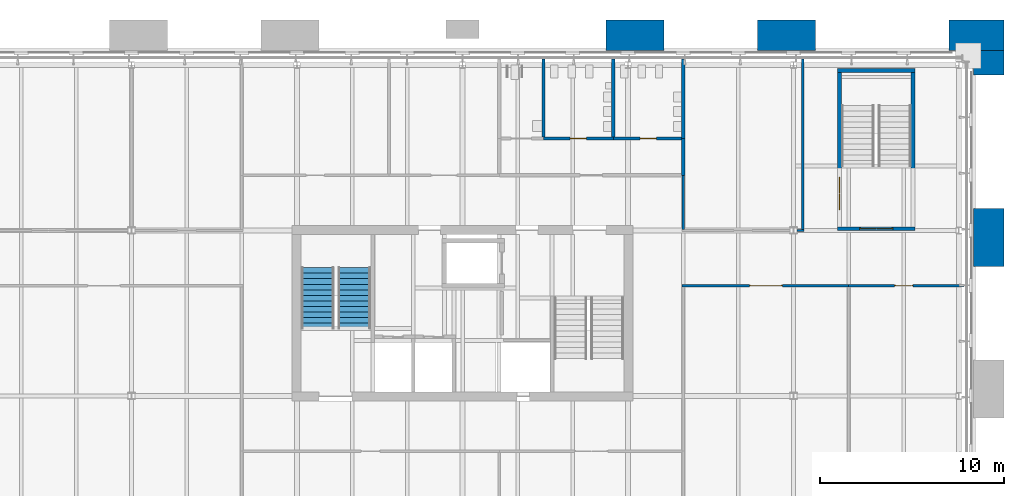
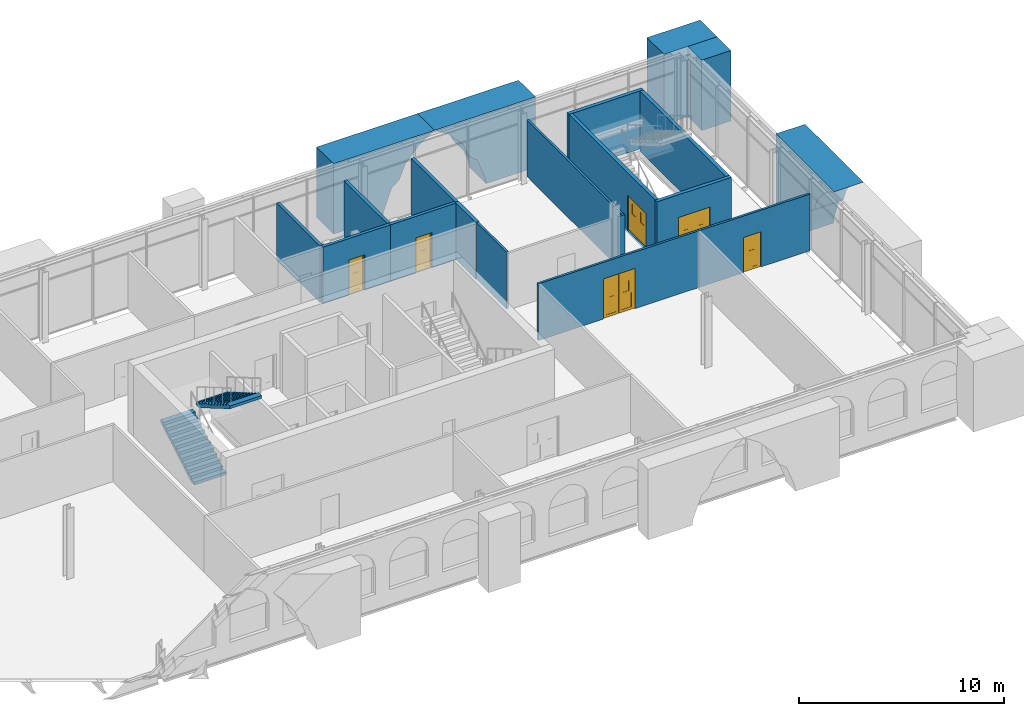
# One storey, part 14 of 22: 20 walls, 6 doors, 2 stair flights, 6 openings, 1 element without a shape of its own.
"""IFC4 building model written with IfcOpenShell, lengths in metres."""

import ifcopenshell
import ifcopenshell.guid

model = None  # the IFC model being written
_history = None  # IfcOwnerHistory: only IFC2X3 demands one
_inside = {}  # id of a spatial element -> (the spatial element, [elements in it])
_under = {}  # id of a project, library or spatial element -> (it, [spatial elements below it])
_declared = {}  # id of a project -> (the project, [libraries it declares])
_typed = {}  # id of a type object -> (the type object, [elements of that type])
_made_of = {}  # id of a material, layer set ... -> (it, [elements and type objects made of it])


def new_model(schema):
    """Start an empty IFC model of exactly this schema.

    Asked for "IFC4X3", IfcOpenShell would pick the latest addendum, in which some entities
    have other attributes; the version numbers below select the first issue.
    IFC2X3 requires an IfcOwnerHistory on every rooted entity: one is made here for all.
    """
    global model, _history
    if schema == "IFC4X3":
        model = ifcopenshell.file(schema_version=(4, 3, 0, 0))
    else:
        model = ifcopenshell.file(schema=schema)
    _inside.clear()
    _under.clear()
    _declared.clear()
    _typed.clear()
    _made_of.clear()
    _history = None
    if model.schema == "IFC2X3":
        org = make("IfcOrganization", Name="unknown")
        user = make(
            "IfcPersonAndOrganization",
            ThePerson=make("IfcPerson", FamilyName="unknown"),
            TheOrganization=org,
        )
        app = make(
            "IfcApplication",
            ApplicationDeveloper=org,
            Version="unknown",
            ApplicationFullName="unknown",
            ApplicationIdentifier="unknown",
        )
        _history = make(
            "IfcOwnerHistory",
            OwningUser=user,
            OwningApplication=app,
            ChangeAction="ADDED",
            CreationDate=0,
        )
    return model


def make(cls, **values):
    """One entity of the class cls with the attributes given. An attribute that is None is left unset."""
    return model.create_entity(
        cls, **{name: value for name, value in values.items() if value is not None}
    )


def rooted(cls, **values):
    """An entity with a GlobalId (a new one), such as an element, a storey or a relation."""
    return make(cls, GlobalId=ifcopenshell.guid.new(), OwnerHistory=_history, **values)


def si_unit(unit_type, name, prefix=None):
    """IfcSIUnit, for example si_unit("LENGTHUNIT", "METRE", prefix="MILLI")."""
    return make("IfcSIUnit", UnitType=unit_type, Prefix=prefix, Name=name)


def assignment(units):
    """IfcUnitAssignment: the units of a project."""
    return None if units is None else make("IfcUnitAssignment", Units=units)


def point(xyz):
    """IfcCartesianPoint."""
    return None if xyz is None else make("IfcCartesianPoint", Coordinates=xyz)


def direction(xyz):
    """IfcDirection."""
    return None if xyz is None else make("IfcDirection", DirectionRatios=xyz)


def frame(location, z_axis=None, x_axis=None):
    """IfcAxis2Placement3D, a coordinate frame: its origin and axes. An axis left out is left unset."""
    return make(
        "IfcAxis2Placement3D",
        Location=point(location),
        Axis=direction(z_axis),
        RefDirection=direction(x_axis),
    )


def frame_2d(location, x_axis=None):
    """IfcAxis2Placement2D, a coordinate frame in the plane: its origin and x axis."""
    return make(
        "IfcAxis2Placement2D", Location=point(location), RefDirection=direction(x_axis)
    )


def origin():
    """The frame at (0, 0, 0) with its axes left unset."""
    return frame((0.0, 0.0, 0.0))


def place(relative_to, where):
    """IfcLocalPlacement: puts the frame where relative to a parent placement (None: the world)."""
    return make(
        "IfcLocalPlacement", PlacementRelTo=relative_to, RelativePlacement=where
    )


def context(
    kind, dimensions, precision=None, world=None, true_north=None, identifier=None
):
    """IfcGeometricRepresentationContext, for example the 3D "Model" context."""
    return make(
        "IfcGeometricRepresentationContext",
        ContextIdentifier=identifier,
        ContextType=kind,
        CoordinateSpaceDimension=dimensions,
        Precision=precision,
        WorldCoordinateSystem=world,
        TrueNorth=true_north,
    )


def subcontext(parent, identifier, kind, view, scale=None):
    """IfcGeometricRepresentationSubContext, for example "Body" below "Model"."""
    return make(
        "IfcGeometricRepresentationSubContext",
        ContextIdentifier=identifier,
        ContextType=kind,
        ParentContext=parent,
        TargetScale=scale,
        TargetView=view,
    )


def project(units=None, contexts=None):
    """IfcProject with its units and contexts."""
    return rooted(
        "IfcProject",
        Name="project",
        RepresentationContexts=contexts,
        UnitsInContext=assignment(units),
    )


def spatial(cls, under=None, at=None, **own):
    """A site, building, storey or space (cls), placed at a placement, below another one or the project."""
    s = rooted(cls, ObjectPlacement=at, **own)
    if under is not None:
        _under.setdefault(under.id(), (under, []))[1].append(s)
    return s


def polyline(points):
    """IfcPolyline through the points."""
    return make("IfcPolyline", Points=[point(p) for p in points])


def profile(cls, at=None, kind="AREA", **sizes):
    """A parametric profile (cls). Its sizes go by their IFC names, for example OverallWidth=200.0."""
    return make(cls, ProfileType=kind, Position=at, **sizes)


def rectangle(**sizes):
    """IfcRectangleProfileDef."""
    return profile("IfcRectangleProfileDef", **sizes)


def outline(outer, holes=None, kind="AREA"):
    """IfcArbitraryClosedProfileDef: a profile drawn as a closed curve; with holes, ...WithVoids."""
    if holes is None:
        return make("IfcArbitraryClosedProfileDef", ProfileType=kind, OuterCurve=outer)
    return make(
        "IfcArbitraryProfileDefWithVoids",
        ProfileType=kind,
        OuterCurve=outer,
        InnerCurves=holes,
    )


def extrude(swept, where, along, depth):
    """IfcExtrudedAreaSolid: the profile swept, set in the frame where, extruded along a direction by depth."""
    return make(
        "IfcExtrudedAreaSolid",
        SweptArea=swept,
        Position=where,
        ExtrudedDirection=direction(along),
        Depth=depth,
    )


def shape(context_of_items, identifier, shape_type, items):
    """IfcShapeRepresentation: the items that make up one representation, for example the "Body"."""
    return make(
        "IfcShapeRepresentation",
        ContextOfItems=context_of_items,
        RepresentationIdentifier=identifier,
        RepresentationType=shape_type,
        Items=items,
    )


def material(Name=None, Category=None):
    """IfcMaterial."""
    return make("IfcMaterial", Name=Name, Category=Category)


def layer(
    of_material, thickness, ventilated=None, Name=None, Category=None, Priority=None
):
    """IfcMaterialLayer: one layer of a wall or slab, of a material (None: an air gap)."""
    return make(
        "IfcMaterialLayer",
        Material=of_material,
        LayerThickness=thickness,
        IsVentilated=ventilated,
        Name=Name,
        Category=Category,
        Priority=Priority,
    )


def layer_set(layers, Name=None):
    """IfcMaterialLayerSet."""
    return make("IfcMaterialLayerSet", MaterialLayers=layers, LayerSetName=Name)


def made_of(thing, what):
    """Note that an element or type object is made of a material, layer set ...; save() writes the relation."""
    if what is not None:
        _made_of.setdefault(what.id(), (what, []))[1].append(thing)
    return thing


def type_object(cls, material=None, **own):
    """A type object (cls), such as IfcWallType, which elements share."""
    return made_of(rooted(cls, **own), material)


def element(
    cls,
    number,
    at=None,
    inside=None,
    cuts=None,
    type_object=None,
    material=None,
    context=None,
    identifier="Body",
    shape_type=None,
    held_by="IfcProductDefinitionShape",
    body=None,
    shapes=None,
    **own,
):
    """One element of the class cls, such as IfcWall. Its Tag is "e" and its number.

    at: its placement. inside: the storey or other place that contains it. cuts: it is an
    opening in that element (IfcRelVoidsElement). A single representation is given by context,
    identifier, shape_type and body (its items); several are given by shapes. held_by: the class
    of the entity that holds the representations. save() writes the other relations.
    """
    e = rooted(cls, Tag="e%d" % number, ObjectPlacement=at, **own)
    if body is not None:
        shapes = [shape(context, identifier, shape_type, body)]
    if shapes is not None:
        e.Representation = make(held_by, Representations=shapes)
    if inside is not None:
        _inside.setdefault(inside.id(), (inside, []))[1].append(e)
    if cuts is not None:
        rooted(
            "IfcRelVoidsElement", RelatingBuildingElement=cuts, RelatedOpeningElement=e
        )
    if type_object is not None:
        _typed.setdefault(type_object.id(), (type_object, []))[1].append(e)
    return made_of(e, material)


def fill(opening, filler):
    """IfcRelFillsElement: the door or window that sits in an opening."""
    return rooted(
        "IfcRelFillsElement",
        RelatingOpeningElement=opening,
        RelatedBuildingElement=filler,
    )


def aggregate(whole, parts):
    """IfcRelAggregates: a whole, such as a stair, and the parts it consists of."""
    return rooted("IfcRelAggregates", RelatingObject=whole, RelatedObjects=parts)


def save(model, path):
    """Write the relations noted so far, then the file.

    IfcRelAggregates (storeys below a building ...), IfcRelContainedInSpatialStructure (elements
    in a storey), IfcRelDefinesByType, IfcRelAssociatesMaterial and IfcRelDeclares: one each for
    every whole, place, type object, material and project.
    """
    for whole, parts in _under.values():
        aggregate(whole, parts)
    for where, things in _inside.values():
        rooted(
            "IfcRelContainedInSpatialStructure",
            RelatedElements=things,
            RelatingStructure=where,
        )
    for kind, things in _typed.values():
        rooted("IfcRelDefinesByType", RelatedObjects=things, RelatingType=kind)
    for what, things in _made_of.values():
        rooted("IfcRelAssociatesMaterial", RelatedObjects=things, RelatingMaterial=what)
    for by, libraries in _declared.values():
        rooted("IfcRelDeclares", RelatingContext=by, RelatedDefinitions=libraries)
    model.write(path)


model = new_model("IFC4")

# Units and contexts
model_context = context("Model", 3, precision=1e-05, world=origin(), true_north=direction((0.0, 1.0)))
body_context = subcontext(model_context, "Body", "Model", "MODEL_VIEW")
ifc_project = project(units=[si_unit("LENGTHUNIT", "METRE"), si_unit("AREAUNIT", "SQUARE_METRE"), si_unit("VOLUMEUNIT", "CUBIC_METRE"), si_unit("PLANEANGLEUNIT", "RADIAN"), si_unit("MASSUNIT", "GRAM", prefix="KILO")], contexts=[model_context])

# Site, building, storey
site_placement = place(None, origin())
site = spatial("IfcSite", under=ifc_project, at=site_placement, CompositionType="ELEMENT")
building_placement = place(site_placement, origin())
building = spatial("IfcBuilding", under=site, at=building_placement, Name="Baradari Gate Terminus", CompositionType="ELEMENT")
storey_placement = place(building_placement, frame((0.0, 0.0, 28.5)))
storey = spatial("IfcBuildingStorey", under=building, at=storey_placement, Name="L06", CompositionType="ELEMENT", Elevation=28.5)

# Wall, opening, door
ifc_material_1 = material(Name="Gypsum board")
ifc_layer_1 = layer(ifc_material_1, 0.125)
ifc_layer_set_1 = layer_set([ifc_layer_1], Name="Gypsum board")
wall_type_1 = type_object("IfcWallType", Name="Corridor partition PT-5 125 EI 30", PredefinedType="PARTITIONING", material=ifc_layer_set_1)
wall_1_placement = place(storey_placement, frame((57.0, 132.0, 0.0), z_axis=(0.0, 0.0, 1.0), x_axis=(-1.0, 0.0, 0.0)))
wall_1 = element("IfcWall", 1, at=wall_1_placement, inside=storey, type_object=wall_type_1, Name="PT-5 partition Corridor / Staff Canteen", PredefinedType="PARTITIONING", context=body_context, shape_type="SweptSolid", body=[
    extrude(rectangle(XDim=9.0625, YDim=0.125, at=frame_2d((4.53125, 0.0))), origin(), (0.0, 0.0, 1.0), 3.382080078125),
])
opening_1_placement = place(wall_1_placement, frame((3.60009765625, 0.0, 0.0)))
opening_1 = element("IfcOpeningElement", 2, at=opening_1_placement, cuts=wall_1, Name="Opening D06-018", PredefinedType="OPENING", context=body_context, shape_type="SweptSolid", body=[
    extrude(rectangle(XDim=1.800048828125, YDim=2.39990234375, at=frame_2d((0.89990234375, 1.199951171875))), frame((0.0, 0.072509765625, 0.0), z_axis=(0.0, -1.0, 0.0), x_axis=(1.0, 0.0, 0.0)), (0.0, 0.0, 1.0), 0.14501953125),
])
ifc_material_2 = material(Name="Steel S275", Category="steel")
door_type_1 = type_object("IfcDoorType", Name="Fire door FI-1800x2400-FD30S 1800x2400 FD30S", OperationType="DOUBLE_DOOR_SINGLE_SWING", PredefinedType="DOOR", material=ifc_material_2)
door_1_placement = place(opening_1_placement, origin())
door_1 = element("IfcDoor", 3, at=door_1_placement, inside=storey, type_object=door_type_1, Name="Door Staff Canteen", OperationType="DOUBLE_DOOR_SINGLE_SWING", OverallHeight=2.4, OverallWidth=1.8, PredefinedType="DOOR", context=body_context, shape_type="SweptSolid", body=[
    extrude(outline(polyline([(0.0, 0.0), (0.070068359375, 0.0), (0.070068359375, 2.329833984375), (1.72998046875, 2.329833984375), (1.72998046875, 0.0), (1.800048828125, 0.0), (1.800048828125, 2.39990234375), (0.0, 2.39990234375), (0.0, 0.0)])), frame((0.0, 0.02490234375, 0.0), z_axis=(0.0, -1.0, 0.0), x_axis=(1.0, 0.0, 0.0)), (0.0, 0.0, 1.0), 0.050048828125),
    extrude(outline(polyline([(0.073974609375, 0.010009765625), (0.89697265625, 0.010009765625), (0.89697265625, 2.325927734375), (0.073974609375, 2.325927734375), (0.073974609375, 0.010009765625)]), holes=[polyline([(0.194091796875, 0.159912109375), (0.77685546875, 0.159912109375), (0.77685546875, 1.010009765625), (0.194091796875, 1.010009765625), (0.194091796875, 0.159912109375)]), polyline([(0.33544921875, 1.159912109375), (0.635498046875, 1.159912109375), (0.635498046875, 1.760009765625), (0.33544921875, 1.760009765625), (0.33544921875, 1.159912109375)])]), frame((0.0, 0.017333984375, 0.0), z_axis=(0.0, -1.0, 0.0), x_axis=(1.0, 0.0, 0.0)), (0.0, 0.0, 1.0), 0.034912109375),
    extrude(rectangle(XDim=0.582763671875, YDim=0.85009765625, at=frame_2d((0.4853515625, 0.5849609375))), frame((0.0, 0.008544921875, 0.0), z_axis=(0.0, -1.0, 0.0), x_axis=(1.0, 0.0, 0.0)), (0.0, 0.0, 1.0), 0.017333984375),
    extrude(rectangle(XDim=0.300048828125, YDim=0.60009765625, at=frame_2d((0.4853515625, 1.4599609375))), frame((0.0, 0.005859375, 0.0), z_axis=(0.0, -1.0, 0.0), x_axis=(1.0, 0.0, 0.0)), (0.0, 0.0, 1.0), 0.011962890625),
    extrude(outline(polyline([(0.903076171875, 0.010009765625), (1.72607421875, 0.010009765625), (1.72607421875, 2.325927734375), (0.903076171875, 2.325927734375), (0.903076171875, 0.010009765625)]), holes=[polyline([(1.023193359375, 0.159912109375), (1.60595703125, 0.159912109375), (1.60595703125, 1.010009765625), (1.023193359375, 1.010009765625), (1.023193359375, 0.159912109375)]), polyline([(1.16455078125, 1.159912109375), (1.464599609375, 1.159912109375), (1.464599609375, 1.760009765625), (1.16455078125, 1.760009765625), (1.16455078125, 1.159912109375)])]), frame((0.0, 0.017333984375, 0.0), z_axis=(0.0, -1.0, 0.0), x_axis=(1.0, 0.0, 0.0)), (0.0, 0.0, 1.0), 0.034912109375),
    extrude(rectangle(XDim=0.582763671875, YDim=0.85009765625, at=frame_2d((1.314453125, 0.5849609375))), frame((0.0, 0.008544921875, 0.0), z_axis=(0.0, -1.0, 0.0), x_axis=(1.0, 0.0, 0.0)), (0.0, 0.0, 1.0), 0.017333984375),
    extrude(rectangle(XDim=0.300048828125, YDim=0.60009765625, at=frame_2d((1.314453125, 1.4599609375))), frame((0.0, 0.005859375, 0.0), z_axis=(0.0, -1.0, 0.0), x_axis=(1.0, 0.0, 0.0)), (0.0, 0.0, 1.0), 0.011962890625),
])
fill(opening_1, door_1)

wall_2_placement = place(storey_placement, frame((63.27001953125, 132.0, 0.0), z_axis=(0.0, 0.0, 1.0), x_axis=(-1.0, 0.0, 0.0)))
wall_2 = element("IfcWall", 4, at=wall_2_placement, inside=storey, type_object=wall_type_1, Name="PT-5 partition Corridor / Canteen Kitchen", PredefinedType="PARTITIONING", context=body_context, shape_type="SweptSolid", body=[
    extrude(rectangle(XDim=6.27001953125, YDim=0.125, at=frame_2d((3.135009765625, 0.0))), origin(), (0.0, 0.0, 1.0), 3.382080078125),
])
opening_2_placement = place(wall_2_placement, frame((2.77001953125, 0.0, 0.0)))
opening_2 = element("IfcOpeningElement", 5, at=opening_2_placement, cuts=wall_2, Name="Opening D06-019", PredefinedType="OPENING", context=body_context, shape_type="SweptSolid", body=[
    extrude(rectangle(XDim=1.0, YDim=2.10009765625, at=frame_2d((0.5, 1.050048828125))), frame((0.0, 0.072509765625, 0.0), z_axis=(0.0, -1.0, 0.0), x_axis=(1.0, 0.0, 0.0)), (0.0, 0.0, 1.0), 0.14501953125),
])
ifc_material_3 = material(Name="Steel S275", Category="steel")
door_type_2 = type_object("IfcDoorType", Name="Fire door FI-1000-FD30S 1000x2100 FD30S", OperationType="SINGLE_SWING_LEFT", PredefinedType="DOOR", material=ifc_material_3)
door_2_placement = place(opening_2_placement, origin())
door_2 = element("IfcDoor", 6, at=door_2_placement, inside=storey, type_object=door_type_2, Name="Door Canteen Kitchen", OperationType="SINGLE_SWING_RIGHT", OverallHeight=2.1, OverallWidth=1.0, PredefinedType="DOOR", context=body_context, shape_type="SweptSolid", body=[
    extrude(outline(polyline([(0.0, 0.0), (0.070068359375, 0.0), (0.070068359375, 2.030029296875), (0.929931640625, 2.030029296875), (0.929931640625, 0.0), (1.0, 0.0), (1.0, 2.10009765625), (0.0, 2.10009765625), (0.0, 0.0)])), frame((0.0, 0.02490234375, 0.0), z_axis=(0.0, -1.0, 0.0), x_axis=(1.0, 0.0, 0.0)), (0.0, 0.0, 1.0), 0.050048828125),
    extrude(outline(polyline([(0.073974609375, 0.010009765625), (0.926025390625, 0.010009765625), (0.926025390625, 2.026123046875), (0.073974609375, 2.026123046875), (0.073974609375, 0.010009765625)]), holes=[polyline([(0.194091796875, 0.159912109375), (0.805908203125, 0.159912109375), (0.805908203125, 1.010009765625), (0.194091796875, 1.010009765625), (0.194091796875, 0.159912109375)]), polyline([(0.35009765625, 1.159912109375), (0.64990234375, 1.159912109375), (0.64990234375, 1.760009765625), (0.35009765625, 1.760009765625), (0.35009765625, 1.159912109375)])]), frame((0.0, 0.017333984375, 0.0), z_axis=(0.0, -1.0, 0.0), x_axis=(1.0, 0.0, 0.0)), (0.0, 0.0, 1.0), 0.034912109375),
    extrude(rectangle(XDim=0.61181640625, YDim=0.85009765625, at=frame_2d((0.5, 0.5849609375))), frame((0.0, 0.008544921875, 0.0), z_axis=(0.0, -1.0, 0.0), x_axis=(1.0, 0.0, 0.0)), (0.0, 0.0, 1.0), 0.017333984375),
    extrude(rectangle(XDim=0.2998046875, YDim=0.60009765625, at=frame_2d((0.5, 1.4599609375))), frame((0.0, 0.005859375, 0.0), z_axis=(0.0, -1.0, 0.0), x_axis=(1.0, 0.0, 0.0)), (0.0, 0.0, 1.0), 0.011962890625),
])
fill(opening_2, door_2)

# Walls
wall_3_placement = place(storey_placement, frame((48.0, 138.0, 0.0), z_axis=(0.0, 0.0, 1.0), x_axis=(0.0, -1.0, 0.0)))
element("IfcWall", 7, at=wall_3_placement, inside=storey, type_object=wall_type_1, Name="PT-5 partition Corridor / Welfare Store", PredefinedType="PARTITIONING", context=body_context, shape_type="SweptSolid", body=[
    extrude(rectangle(XDim=2.9375, YDim=0.125, at=frame_2d((1.46875, 0.0))), origin(), (0.0, 0.0, 1.0), 3.382080078125),
])
wall_4_placement = place(storey_placement, frame((54.197509765625, 135.0, 0.0), z_axis=(0.0, 0.0, 1.0), x_axis=(1.0, 0.0, 0.0)))
element("IfcWall", 8, at=wall_4_placement, inside=storey, type_object=wall_type_1, Name="PT-5 partition Corridor / Welfare Store", PredefinedType="PARTITIONING", context=body_context, shape_type="SweptSolid", body=[
    extrude(rectangle(XDim=0.364990234375, YDim=0.125, at=frame_2d((0.1826171875, 0.0))), origin(), (0.0, 0.0, 1.0), 3.382080078125),
])
wall_5_placement = place(storey_placement, frame((54.5, 135.0625, 0.0), z_axis=(0.0, 0.0, 1.0), x_axis=(0.0, 1.0, 0.0)))
element("IfcWall", 9, at=wall_5_placement, inside=storey, type_object=wall_type_1, Name="PT-5 partition Corridor (Stair Passage) / Welfare Store", PredefinedType="PARTITIONING", context=body_context, shape_type="SweptSolid", body=[
    extrude(rectangle(XDim=9.25244140625, YDim=0.125, at=frame_2d((4.626220703125, 0.0))), origin(), (0.0, 0.0, 1.0), 3.382080078125),
])
ifc_material_4 = material(Name="Blockwork wall, plastered, fire rated", Category="masonry")
ifc_layer_2 = layer(ifc_material_4, 0.199951171875)
ifc_layer_set_2 = layer_set([ifc_layer_2], Name="Blockwork wall, plastered, fire rated")
wall_type_2 = type_object("IfcWallType", Name="Lobby partition PT-4 200 EI 60", PredefinedType="PARTITIONING", material=ifc_layer_set_2)
wall_6_placement = place(storey_placement, frame((48.0, 140.0, 0.0), z_axis=(0.0, 0.0, 1.0), x_axis=(0.0, -1.0, 0.0)))
element("IfcWall", 10, at=wall_6_placement, inside=storey, type_object=wall_type_2, Name="PT-4 partition WC Lobby / Welfare Store", PredefinedType="PARTITIONING", context=body_context, shape_type="SweptSolid", body=[
    extrude(rectangle(XDim=2.0, YDim=0.199951171875, at=frame_2d((1.0, 0.0))), origin(), (0.0, 0.0, 1.0), 3.382080078125),
])
ifc_material_5 = material(Name="Concrete C40/50 precast", Category="concrete")
ifc_layer_3 = layer(ifc_material_5, 1.55)
ifc_material_6 = material(Name="Sandstone cladding", Category="masonry")
ifc_layer_4 = layer(ifc_material_6, 0.1)
ifc_layer_set_3 = layer_set([ifc_layer_3, ifc_layer_4], Name="Concrete C40/50 precast")
wall_type_3 = type_object("IfcWallType", Name="Sandstone-faced precast frame pier WQ-4 1650", PredefinedType="SOLIDWALL", material=ifc_layer_set_3)
wall_7_placement = place(storey_placement, frame((43.800048828125, 145.6201171875, 0.0), z_axis=(0.0, 0.0, 1.0), x_axis=(1.0, 0.0, 0.0)))
element("IfcWall", 11, at=wall_7_placement, inside=storey, type_object=wall_type_3, Name="Frame portal wall N face bay 2 1", PredefinedType="SOLIDWALL", context=body_context, shape_type="SweptSolid", body=[
    extrude(outline(polyline([(2.795166015625, 0.0), (2.820068359375, 0.31201171875), (3.300048828125, 1.60791015625), (3.719970703125, 1.931884765625), (4.080078125, 2.7958984375), (4.860107421875, 3.659912109375), (5.699951171875, 4.199951171875), (0.0, 4.199951171875), (0.0, 0.0), (2.795166015625, 0.0)])), frame((0.0, 0.824951171875, 0.0), z_axis=(0.0, -1.0, 0.0), x_axis=(1.0, 0.0, 0.0)), (0.0, 0.0, 1.0), 1.64990234375),
])
for number, where, z_axis, x_axis, name in (
    (12, (49.5, 145.6201171875, 0.0), (0.0, 0.0, 1.0), (1.0, 0.0, 0.0), "Frame portal wall N face bay 2 2"),
    (13, (64.6201171875, 130.5, 0.0), (0.0, 0.0, 1.0), (0.0, 1.0, 0.0), "Frame portal wall E face bay 1 2"),
):
    element("IfcWall", number, at=place(storey_placement, frame(where, z_axis=z_axis, x_axis=x_axis)), inside=storey, type_object=wall_type_3, Name=name, PredefinedType="SOLIDWALL", context=body_context, shape_type="SweptSolid", body=[
        extrude(outline(polyline([(0.0, 4.199951171875), (0.840087890625, 3.659912109375), (1.6201171875, 2.7958984375), (1.97998046875, 1.931884765625), (2.39990234375, 1.60791015625), (2.8798828125, 0.31201171875), (2.90478515625, 0.0), (5.699951171875, 0.0), (5.699951171875, 4.199951171875), (0.0, 4.199951171875)])), frame((0.0, 0.824951171875, 0.0), z_axis=(0.0, -1.0, 0.0), x_axis=(1.0, 0.0, 0.0)), (0.0, 0.0, 1.0), 1.64990234375),
    ])
wall_8_placement = place(storey_placement, frame((62.445068359375, 145.6201171875, 0.0), z_axis=(0.0, 0.0, 1.0), x_axis=(1.0, 0.0, 0.0)))
element("IfcWall", 14, at=wall_8_placement, inside=storey, type_object=wall_type_3, Name="Corner pilaster NE leg A L06", PredefinedType="SOLIDWALL", context=body_context, shape_type="SweptSolid", body=[
    extrude(rectangle(XDim=3.0, YDim=1.64990234375, at=frame_2d((1.5, 0.0))), origin(), (0.0, 0.0, 1.0), 4.199951171875),
])
wall_9_placement = place(storey_placement, frame((64.6201171875, 143.445068359375, 0.0), z_axis=(0.0, 0.0, 1.0), x_axis=(0.0, 1.0, 0.0)))
element("IfcWall", 15, at=wall_9_placement, inside=storey, type_object=wall_type_3, Name="Corner pilaster NE leg B L06", PredefinedType="SOLIDWALL", context=body_context, shape_type="SweptSolid", body=[
    extrude(rectangle(XDim=1.349853515625, YDim=1.64990234375, at=frame_2d((0.6748046875, 0.0))), origin(), (0.0, 0.0, 1.0), 4.199951171875),
])

# Wall, opening, door
ifc_material_7 = material(Name="Concrete C40/50", Category="concrete")
ifc_layer_5 = layer(ifc_material_7, 0.199951171875)
ifc_layer_set_4 = layer_set([ifc_layer_5], Name="Concrete C40/50")
wall_type_4 = type_object("IfcWallType", Name="Stair enclosure wall SE-2 200 EI 120", PredefinedType="SOLIDWALL", material=ifc_layer_set_4)
wall_10_placement = place(storey_placement, frame((56.39990234375, 135.10009765625, -0.1298828125), z_axis=(0.0, 0.0, 1.0), x_axis=(1.0, 0.0, 0.0)))
wall_10 = element("IfcWall", 16, at=wall_10_placement, inside=storey, type_object=wall_type_4, Name="Stair enclosure wall SE-2 ST-T3 L06 S", PredefinedType="SOLIDWALL", context=body_context, shape_type="SweptSolid", body=[
    extrude(rectangle(XDim=4.2001953125, YDim=0.199951171875, at=frame_2d((2.10009765625, 0.0))), origin(), (0.0, 0.0, 1.0), 3.5869140625),
])
opening_3_placement = place(wall_10_placement, frame((1.199951171875, 0.0, 0.1298828125)))
opening_3 = element("IfcOpeningElement", 17, at=opening_3_placement, cuts=wall_10, Name="Opening D06-010", PredefinedType="OPENING", context=body_context, shape_type="SweptSolid", body=[
    extrude(rectangle(XDim=1.800048828125, YDim=2.10009765625, at=frame_2d((0.89990234375, 1.050048828125))), frame((0.0, 0.10986328125, 0.0), z_axis=(0.0, -1.0, 0.0), x_axis=(1.0, 0.0, 0.0)), (0.0, 0.0, 1.0), 0.219970703125),
])
ifc_material_8 = material(Name="Steel S275", Category="steel")
door_type_3 = type_object("IfcDoorType", Name="Fire door FI-1800-FD90S 1800x2100 FD90S", OperationType="DOUBLE_DOOR_SINGLE_SWING", PredefinedType="DOOR", material=ifc_material_8)
door_3_placement = place(opening_3_placement, origin())
door_3 = element("IfcDoor", 18, at=door_3_placement, inside=storey, type_object=door_type_3, Name="Door Stair (East Core)", OperationType="DOUBLE_DOOR_SINGLE_SWING", OverallHeight=2.1, OverallWidth=1.8, PredefinedType="DOOR", context=body_context, shape_type="SweptSolid", body=[
    extrude(outline(polyline([(0.0, 0.0), (0.070068359375, 0.0), (0.070068359375, 2.030029296875), (1.72998046875, 2.030029296875), (1.72998046875, 0.0), (1.800048828125, 0.0), (1.800048828125, 2.10009765625), (0.0, 2.10009765625), (0.0, 0.0)])), frame((0.0, 0.02490234375, 0.0), z_axis=(0.0, -1.0, 0.0), x_axis=(1.0, 0.0, 0.0)), (0.0, 0.0, 1.0), 0.050048828125),
    extrude(outline(polyline([(0.073974609375, 0.010009765625), (0.89697265625, 0.010009765625), (0.89697265625, 2.026123046875), (0.073974609375, 2.026123046875), (0.073974609375, 0.010009765625)]), holes=[polyline([(0.194091796875, 0.159912109375), (0.77685546875, 0.159912109375), (0.77685546875, 1.010009765625), (0.194091796875, 1.010009765625), (0.194091796875, 0.159912109375)]), polyline([(0.33544921875, 1.159912109375), (0.635498046875, 1.159912109375), (0.635498046875, 1.760009765625), (0.33544921875, 1.760009765625), (0.33544921875, 1.159912109375)])]), frame((0.0, 0.017333984375, 0.0), z_axis=(0.0, -1.0, 0.0), x_axis=(1.0, 0.0, 0.0)), (0.0, 0.0, 1.0), 0.034912109375),
    extrude(rectangle(XDim=0.582763671875, YDim=0.85009765625, at=frame_2d((0.4853515625, 0.5849609375))), frame((0.0, 0.008544921875, 0.0), z_axis=(0.0, -1.0, 0.0), x_axis=(1.0, 0.0, 0.0)), (0.0, 0.0, 1.0), 0.017333984375),
    extrude(rectangle(XDim=0.300048828125, YDim=0.60009765625, at=frame_2d((0.4853515625, 1.4599609375))), frame((0.0, 0.005859375, 0.0), z_axis=(0.0, -1.0, 0.0), x_axis=(1.0, 0.0, 0.0)), (0.0, 0.0, 1.0), 0.011962890625),
    extrude(outline(polyline([(0.903076171875, 0.010009765625), (1.72607421875, 0.010009765625), (1.72607421875, 2.026123046875), (0.903076171875, 2.026123046875), (0.903076171875, 0.010009765625)]), holes=[polyline([(1.023193359375, 0.159912109375), (1.60595703125, 0.159912109375), (1.60595703125, 1.010009765625), (1.023193359375, 1.010009765625), (1.023193359375, 0.159912109375)]), polyline([(1.16455078125, 1.159912109375), (1.464599609375, 1.159912109375), (1.464599609375, 1.760009765625), (1.16455078125, 1.760009765625), (1.16455078125, 1.159912109375)])]), frame((0.0, 0.017333984375, 0.0), z_axis=(0.0, -1.0, 0.0), x_axis=(1.0, 0.0, 0.0)), (0.0, 0.0, 1.0), 0.034912109375),
    extrude(rectangle(XDim=0.582763671875, YDim=0.85009765625, at=frame_2d((1.314453125, 0.5849609375))), frame((0.0, 0.008544921875, 0.0), z_axis=(0.0, -1.0, 0.0), x_axis=(1.0, 0.0, 0.0)), (0.0, 0.0, 1.0), 0.017333984375),
    extrude(rectangle(XDim=0.300048828125, YDim=0.60009765625, at=frame_2d((1.314453125, 1.4599609375))), frame((0.0, 0.005859375, 0.0), z_axis=(0.0, -1.0, 0.0), x_axis=(1.0, 0.0, 0.0)), (0.0, 0.0, 1.0), 0.011962890625),
])
fill(opening_3, door_3)

# Wall
wall_11_placement = place(storey_placement, frame((56.39990234375, 143.699951171875, 0.0), z_axis=(0.0, 0.0, 1.0), x_axis=(1.0, 0.0, 0.0)))
element("IfcWall", 19, at=wall_11_placement, inside=storey, type_object=wall_type_4, Name="Stair enclosure wall SE-2 ST-T3 L06 N", PredefinedType="SOLIDWALL", context=body_context, shape_type="SweptSolid", body=[
    extrude(rectangle(XDim=4.2001953125, YDim=0.199951171875, at=frame_2d((2.10009765625, 0.0))), origin(), (0.0, 0.0, 1.0), 3.45703125),
])

# Wall, opening, door
wall_12_placement = place(storey_placement, frame((56.5, 135.199951171875, -0.1298828125), z_axis=(0.0, 0.0, 1.0), x_axis=(0.0, 1.0, 0.0)))
wall_12 = element("IfcWall", 20, at=wall_12_placement, inside=storey, type_object=wall_type_4, Name="Stair enclosure wall SE-2 ST-T3 L06 W", PredefinedType="SOLIDWALL", context=body_context, shape_type="SweptSolid", body=[
    extrude(rectangle(XDim=8.400146484375, YDim=0.199951171875, at=frame_2d((4.2001953125, 0.0))), origin(), (0.0, 0.0, 1.0), 3.5869140625),
])
opening_4_placement = place(wall_12_placement, frame((0.89990234375, 0.0, 0.1298828125)))
opening_4 = element("IfcOpeningElement", 21, at=opening_4_placement, cuts=wall_12, Name="Opening D06-009", PredefinedType="OPENING", context=body_context, shape_type="SweptSolid", body=[
    extrude(rectangle(XDim=1.800048828125, YDim=2.10009765625, at=frame_2d((0.89990234375, 1.050048828125))), frame((0.0, 0.10986328125, 0.0), z_axis=(0.0, -1.0, 0.0), x_axis=(1.0, 0.0, 0.0)), (0.0, 0.0, 1.0), 0.219970703125),
])
door_4_placement = place(opening_4_placement, frame((1.800048828125, 0.0, 0.0), z_axis=(0.0, 0.0, 1.0), x_axis=(-1.0, 0.0, 0.0)))
door_4 = element("IfcDoor", 22, at=door_4_placement, inside=storey, type_object=door_type_3, Name="Door Stair (East Core)", OperationType="DOUBLE_DOOR_SINGLE_SWING", OverallHeight=2.1, OverallWidth=1.8, PredefinedType="DOOR", context=body_context, shape_type="SweptSolid", body=[
    extrude(outline(polyline([(0.0, 0.0), (0.070068359375, 0.0), (0.070068359375, 2.030029296875), (1.72998046875, 2.030029296875), (1.72998046875, 0.0), (1.800048828125, 0.0), (1.800048828125, 2.10009765625), (0.0, 2.10009765625), (0.0, 0.0)])), frame((0.0, 0.02490234375, 0.0), z_axis=(0.0, -1.0, 0.0), x_axis=(1.0, 0.0, 0.0)), (0.0, 0.0, 1.0), 0.050048828125),
    extrude(outline(polyline([(0.073974609375, 0.010009765625), (0.89697265625, 0.010009765625), (0.89697265625, 2.026123046875), (0.073974609375, 2.026123046875), (0.073974609375, 0.010009765625)]), holes=[polyline([(0.194091796875, 0.159912109375), (0.77685546875, 0.159912109375), (0.77685546875, 1.010009765625), (0.194091796875, 1.010009765625), (0.194091796875, 0.159912109375)]), polyline([(0.33544921875, 1.159912109375), (0.635498046875, 1.159912109375), (0.635498046875, 1.760009765625), (0.33544921875, 1.760009765625), (0.33544921875, 1.159912109375)])]), frame((0.0, 0.017333984375, 0.0), z_axis=(0.0, -1.0, 0.0), x_axis=(1.0, 0.0, 0.0)), (0.0, 0.0, 1.0), 0.034912109375),
    extrude(rectangle(XDim=0.582763671875, YDim=0.85009765625, at=frame_2d((0.4853515625, 0.5849609375))), frame((0.0, 0.008544921875, 0.0), z_axis=(0.0, -1.0, 0.0), x_axis=(1.0, 0.0, 0.0)), (0.0, 0.0, 1.0), 0.017333984375),
    extrude(rectangle(XDim=0.300048828125, YDim=0.60009765625, at=frame_2d((0.4853515625, 1.4599609375))), frame((0.0, 0.005859375, 0.0), z_axis=(0.0, -1.0, 0.0), x_axis=(1.0, 0.0, 0.0)), (0.0, 0.0, 1.0), 0.011962890625),
    extrude(outline(polyline([(0.903076171875, 0.010009765625), (1.72607421875, 0.010009765625), (1.72607421875, 2.026123046875), (0.903076171875, 2.026123046875), (0.903076171875, 0.010009765625)]), holes=[polyline([(1.023193359375, 0.159912109375), (1.60595703125, 0.159912109375), (1.60595703125, 1.010009765625), (1.023193359375, 1.010009765625), (1.023193359375, 0.159912109375)]), polyline([(1.16455078125, 1.159912109375), (1.464599609375, 1.159912109375), (1.464599609375, 1.760009765625), (1.16455078125, 1.760009765625), (1.16455078125, 1.159912109375)])]), frame((0.0, 0.017333984375, 0.0), z_axis=(0.0, -1.0, 0.0), x_axis=(1.0, 0.0, 0.0)), (0.0, 0.0, 1.0), 0.034912109375),
    extrude(rectangle(XDim=0.582763671875, YDim=0.85009765625, at=frame_2d((1.314453125, 0.5849609375))), frame((0.0, 0.008544921875, 0.0), z_axis=(0.0, -1.0, 0.0), x_axis=(1.0, 0.0, 0.0)), (0.0, 0.0, 1.0), 0.017333984375),
    extrude(rectangle(XDim=0.300048828125, YDim=0.60009765625, at=frame_2d((1.314453125, 1.4599609375))), frame((0.0, 0.005859375, 0.0), z_axis=(0.0, -1.0, 0.0), x_axis=(1.0, 0.0, 0.0)), (0.0, 0.0, 1.0), 0.011962890625),
])
fill(opening_4, door_4)

# Wall
wall_13_placement = place(storey_placement, frame((60.5, 135.199951171875, -0.1298828125), z_axis=(0.0, 0.0, 1.0), x_axis=(0.0, 1.0, 0.0)))
element("IfcWall", 23, at=wall_13_placement, inside=storey, type_object=wall_type_4, Name="Stair enclosure wall SE-2 ST-T3 L06 E", PredefinedType="SOLIDWALL", context=body_context, shape_type="SweptSolid", body=[
    extrude(rectangle(XDim=8.400146484375, YDim=0.199951171875, at=frame_2d((4.2001953125, 0.0))), origin(), (0.0, 0.0, 1.0), 3.5869140625),
])

# Wall, opening, door
ifc_material_9 = material(Name="Blockwork wall, tiled both faces", Category="masonry")
ifc_layer_6 = layer(ifc_material_9, 0.175048828125)
ifc_layer_set_5 = layer_set([ifc_layer_6], Name="Blockwork wall, tiled both faces")
wall_type_5 = type_object("IfcWallType", Name="WC wet wall PT-6 175 EI 60", PredefinedType="PARTITIONING", material=ifc_layer_set_5)
wall_14_placement = place(storey_placement, frame((40.39990234375, 140.0, 0.0), z_axis=(0.0, 0.0, 1.0), x_axis=(1.0, 0.0, 0.0)))
wall_14 = element("IfcWall", 24, at=wall_14_placement, inside=storey, type_object=wall_type_5, Name="PT-6 partition WC Lobby / Male WC", PredefinedType="PARTITIONING", context=body_context, shape_type="SweptSolid", body=[
    extrude(rectangle(XDim=3.800048828125, YDim=0.175048828125, at=frame_2d((1.89990234375, 0.0))), origin(), (0.0, 0.0, 1.0), 3.382080078125),
])
opening_5_placement = place(wall_14_placement, frame((1.449951171875, 0.0, 0.0)))
opening_5 = element("IfcOpeningElement", 25, at=opening_5_placement, cuts=wall_14, Name="Opening D06-013", PredefinedType="OPENING", context=body_context, shape_type="SweptSolid", body=[
    extrude(rectangle(XDim=0.89990234375, YDim=2.10009765625, at=frame_2d((0.449951171875, 1.050048828125))), frame((0.0, 0.097412109375, 0.0), z_axis=(0.0, -1.0, 0.0), x_axis=(1.0, 0.0, 0.0)), (0.0, 0.0, 1.0), 0.195068359375),
])
ifc_material_10 = material(Name="Steel S275", Category="steel")
door_type_4 = type_object("IfcDoorType", Name="Fire door FI-900-FD60S 900x2100 FD60S", OperationType="SINGLE_SWING_LEFT", PredefinedType="DOOR", material=ifc_material_10)
door_5_placement = place(opening_5_placement, origin())
door_5 = element("IfcDoor", 26, at=door_5_placement, inside=storey, type_object=door_type_4, Name="Door Male WC", OperationType="SINGLE_SWING_LEFT", OverallHeight=2.1, OverallWidth=0.9, PredefinedType="DOOR", context=body_context, shape_type="SweptSolid", body=[
    extrude(outline(polyline([(0.0, 0.0), (0.070068359375, 0.0), (0.070068359375, 2.030029296875), (0.829833984375, 2.030029296875), (0.829833984375, 0.0), (0.89990234375, 0.0), (0.89990234375, 2.10009765625), (0.0, 2.10009765625), (0.0, 0.0)])), frame((0.0, 0.02490234375, 0.0), z_axis=(0.0, -1.0, 0.0), x_axis=(1.0, 0.0, 0.0)), (0.0, 0.0, 1.0), 0.050048828125),
    extrude(outline(polyline([(0.073974609375, 0.010009765625), (0.825927734375, 0.010009765625), (0.825927734375, 2.026123046875), (0.073974609375, 2.026123046875), (0.073974609375, 0.010009765625)]), holes=[polyline([(0.194091796875, 0.159912109375), (0.705810546875, 0.159912109375), (0.705810546875, 1.010009765625), (0.194091796875, 1.010009765625), (0.194091796875, 0.159912109375)]), polyline([(0.300048828125, 1.159912109375), (0.599853515625, 1.159912109375), (0.599853515625, 1.760009765625), (0.300048828125, 1.760009765625), (0.300048828125, 1.159912109375)])]), frame((0.0, 0.017333984375, 0.0), z_axis=(0.0, -1.0, 0.0), x_axis=(1.0, 0.0, 0.0)), (0.0, 0.0, 1.0), 0.034912109375),
    extrude(rectangle(XDim=0.51171875, YDim=0.85009765625, at=frame_2d((0.449951171875, 0.5849609375))), frame((0.0, 0.008544921875, 0.0), z_axis=(0.0, -1.0, 0.0), x_axis=(1.0, 0.0, 0.0)), (0.0, 0.0, 1.0), 0.017333984375),
    extrude(rectangle(XDim=0.2998046875, YDim=0.60009765625, at=frame_2d((0.449951171875, 1.4599609375))), frame((0.0, 0.005859375, 0.0), z_axis=(0.0, -1.0, 0.0), x_axis=(1.0, 0.0, 0.0)), (0.0, 0.0, 1.0), 0.011962890625),
])
fill(opening_5, door_5)

wall_15_placement = place(storey_placement, frame((44.199951171875, 140.0, 0.0), z_axis=(0.0, 0.0, 1.0), x_axis=(1.0, 0.0, 0.0)))
wall_15 = element("IfcWall", 27, at=wall_15_placement, inside=storey, type_object=wall_type_5, Name="PT-6 partition WC Lobby / Female WC", PredefinedType="PARTITIONING", context=body_context, shape_type="SweptSolid", body=[
    extrude(rectangle(XDim=3.699951171875, YDim=0.175048828125, at=frame_2d((1.85009765625, 0.0))), origin(), (0.0, 0.0, 1.0), 3.382080078125),
])
opening_6_placement = place(wall_15_placement, frame((1.449951171875, 0.0, 0.0)))
opening_6 = element("IfcOpeningElement", 28, at=opening_6_placement, cuts=wall_15, Name="Opening D06-014", PredefinedType="OPENING", context=body_context, shape_type="SweptSolid", body=[
    extrude(rectangle(XDim=0.89990234375, YDim=2.10009765625, at=frame_2d((0.449951171875, 1.050048828125))), frame((0.0, 0.097412109375, 0.0), z_axis=(0.0, -1.0, 0.0), x_axis=(1.0, 0.0, 0.0)), (0.0, 0.0, 1.0), 0.195068359375),
])
door_6_placement = place(opening_6_placement, origin())
door_6 = element("IfcDoor", 29, at=door_6_placement, inside=storey, type_object=door_type_4, Name="Door Female WC", OperationType="SINGLE_SWING_LEFT", OverallHeight=2.1, OverallWidth=0.9, PredefinedType="DOOR", context=body_context, shape_type="SweptSolid", body=[
    extrude(outline(polyline([(0.0, 0.0), (0.070068359375, 0.0), (0.070068359375, 2.030029296875), (0.829833984375, 2.030029296875), (0.829833984375, 0.0), (0.89990234375, 0.0), (0.89990234375, 2.10009765625), (0.0, 2.10009765625), (0.0, 0.0)])), frame((0.0, 0.02490234375, 0.0), z_axis=(0.0, -1.0, 0.0), x_axis=(1.0, 0.0, 0.0)), (0.0, 0.0, 1.0), 0.050048828125),
    extrude(outline(polyline([(0.073974609375, 0.010009765625), (0.825927734375, 0.010009765625), (0.825927734375, 2.026123046875), (0.073974609375, 2.026123046875), (0.073974609375, 0.010009765625)]), holes=[polyline([(0.194091796875, 0.159912109375), (0.705810546875, 0.159912109375), (0.705810546875, 1.010009765625), (0.194091796875, 1.010009765625), (0.194091796875, 0.159912109375)]), polyline([(0.300048828125, 1.159912109375), (0.599853515625, 1.159912109375), (0.599853515625, 1.760009765625), (0.300048828125, 1.760009765625), (0.300048828125, 1.159912109375)])]), frame((0.0, 0.017333984375, 0.0), z_axis=(0.0, -1.0, 0.0), x_axis=(1.0, 0.0, 0.0)), (0.0, 0.0, 1.0), 0.034912109375),
    extrude(rectangle(XDim=0.51171875, YDim=0.85009765625, at=frame_2d((0.449951171875, 0.5849609375))), frame((0.0, 0.008544921875, 0.0), z_axis=(0.0, -1.0, 0.0), x_axis=(1.0, 0.0, 0.0)), (0.0, 0.0, 1.0), 0.017333984375),
    extrude(rectangle(XDim=0.2998046875, YDim=0.60009765625, at=frame_2d((0.449951171875, 1.4599609375))), frame((0.0, 0.005859375, 0.0), z_axis=(0.0, -1.0, 0.0), x_axis=(1.0, 0.0, 0.0)), (0.0, 0.0, 1.0), 0.011962890625),
])
fill(opening_6, door_6)

# Walls
for number, where, z_axis, x_axis, name in (
    (30, (40.39990234375, 144.31494140625, 0.0), (0.0, 0.0, 1.0), (0.0, -1.0, 0.0), "PT-6 partition Accessible WC / Male WC"),
    (31, (44.199951171875, 144.31494140625, 0.0), (0.0, 0.0, 1.0), (0.0, -1.0, 0.0), "PT-6 partition Male WC / Female WC"),
):
    element("IfcWall", number, at=place(storey_placement, frame(where, z_axis=z_axis, x_axis=x_axis)), inside=storey, type_object=wall_type_5, Name=name, PredefinedType="PARTITIONING", context=body_context, shape_type="SweptSolid", body=[
        extrude(rectangle(XDim=4.2275390625, YDim=0.175048828125, at=frame_2d((2.11376953125, 0.0))), origin(), (0.0, 0.0, 1.0), 3.382080078125),
    ])
wall_16_placement = place(storey_placement, frame((48.0, 144.31494140625, 0.0), z_axis=(0.0, 0.0, 1.0), x_axis=(0.0, -1.0, 0.0)))
element("IfcWall", 32, at=wall_16_placement, inside=storey, type_object=wall_type_5, Name="PT-6 partition Female WC / Welfare Store", PredefinedType="PARTITIONING", context=body_context, shape_type="SweptSolid", body=[
    extrude(rectangle(XDim=4.31494140625, YDim=0.175048828125, at=frame_2d((2.157470703125, 0.0))), origin(), (0.0, 0.0, 1.0), 3.382080078125),
])

# Stair, stair flights
ifc_material_11 = material(Name="Concrete C32/40", Category="concrete")
stair_type = type_object("IfcStairType", Name="Exit stair ST-T1 riser 175 x 1800", PredefinedType="HALF_TURN_STAIR", material=ifc_material_11)
stair_placement = place(storey_placement, origin())
stair = element("IfcStair", 33, at=stair_placement, inside=storey, type_object=stair_type, Name="Stair ST-T1 L06 to L07", PredefinedType="HALF_TURN_STAIR")
ifc_material_12 = material(Name="Concrete C32/40", Category="concrete")
stair_flight_type = type_object("IfcStairFlightType", Name="Stair flight 175/300 x 1800", PredefinedType="STRAIGHT", material=ifc_material_12)
stair_flight_1_placement = place(storey_placement, frame((28.125, 129.675048828125, 0.0), z_axis=(0.0, 0.0, 1.0), x_axis=(0.0, 1.0, 0.0)))
stair_flight_1 = element("IfcStairFlight", 34, at=stair_flight_1_placement, type_object=stair_flight_type, Name="ST-T1 flight 1", NumberOfRisers=12, NumberOfTreads=11, PredefinedType="STRAIGHT", RiserHeight=0.175, TreadLength=0.3, context=body_context, shape_type="SweptSolid", body=[
    extrude(outline(polyline([(0.0, 0.0), (0.0, 0.175048828125), (0.300048828125, 0.175048828125), (0.300048828125, 0.35009765625), (0.60009765625, 0.35009765625), (0.60009765625, 0.52490234375), (0.89990234375, 0.52490234375), (0.89990234375, 0.699951171875), (1.199951171875, 0.699951171875), (1.199951171875, 0.875), (1.5, 0.875), (1.5, 1.050048828125), (1.800048828125, 1.050048828125), (1.800048828125, 1.22509765625), (2.10009765625, 1.22509765625), (2.10009765625, 1.39990234375), (2.39990234375, 1.39990234375), (2.39990234375, 1.574951171875), (2.699951171875, 1.574951171875), (2.699951171875, 1.75), (3.0, 1.75), (3.0, 1.925048828125), (3.300048828125, 1.925048828125), (3.300048828125, 2.10009765625), (3.300048828125, 1.75146484375), (0.297607421875, 0.0), (0.0, 0.0)])), frame((0.0, 0.89990234375, 0.0), z_axis=(0.0, -1.0, 0.0), x_axis=(1.0, 0.0, 0.0)), (0.0, 0.0, 1.0), 1.800048828125),
])
stair_flight_2_placement = place(storey_placement, frame((30.125, 132.97509765625, 2.10009765625), z_axis=(0.0, 0.0, 1.0), x_axis=(0.0, -1.0, 0.0)))
stair_flight_2 = element("IfcStairFlight", 35, at=stair_flight_2_placement, type_object=stair_flight_type, Name="ST-T1 flight 2", NumberOfRisers=12, NumberOfTreads=11, PredefinedType="STRAIGHT", RiserHeight=0.175, TreadLength=0.3, context=body_context, shape_type="SweptSolid", body=[
    extrude(outline(polyline([(0.0, 0.0), (0.0, 0.175048828125), (0.300048828125, 0.175048828125), (0.300048828125, 0.35009765625), (0.60009765625, 0.35009765625), (0.60009765625, 0.52490234375), (0.89990234375, 0.52490234375), (0.89990234375, 0.699951171875), (1.199951171875, 0.699951171875), (1.199951171875, 0.875), (1.5, 0.875), (1.5, 1.050048828125), (1.800048828125, 1.050048828125), (1.800048828125, 1.22509765625), (2.10009765625, 1.22509765625), (2.10009765625, 1.39990234375), (2.39990234375, 1.39990234375), (2.39990234375, 1.574951171875), (2.699951171875, 1.574951171875), (2.699951171875, 1.75), (3.0, 1.75), (3.0, 1.925048828125), (3.300048828125, 1.925048828125), (3.300048828125, 2.10009765625), (3.300048828125, 1.75146484375), (0.297607421875, 0.0), (0.0, 0.0)])), frame((0.0, 0.89990234375, 0.0), z_axis=(0.0, -1.0, 0.0), x_axis=(1.0, 0.0, 0.0)), (0.0, 0.0, 1.0), 1.800048828125),
])
aggregate(stair, [stair_flight_1, stair_flight_2])

save(model, "model.ifc")
